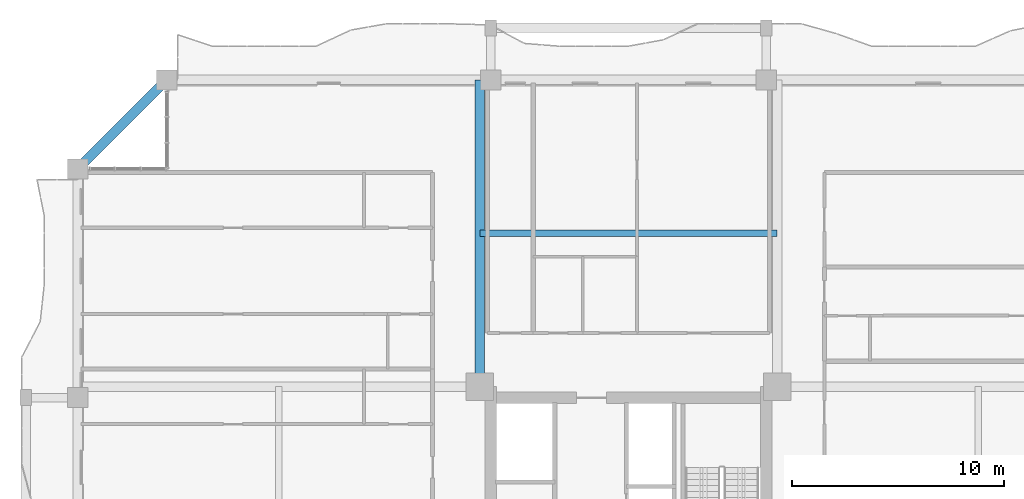
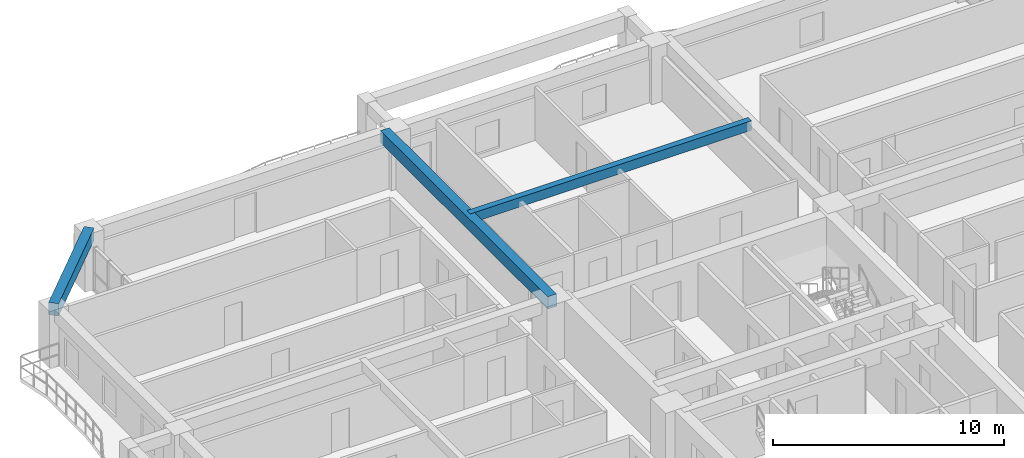
# One storey, part 7 of 24: 3 beams.
"""IFC4 building model written with IfcOpenShell, lengths in metres."""

from ifc_helpers import new_model, si_unit, direction, frame, origin, origin_2d, place, context, subcontext, project, spatial, rectangle, extrude, source, transform, mapped, material, material_profile, profile_set, type_object, element, save


model = new_model("IFC4")

# Units and contexts
model_context = context("Model", 3, precision=1e-05, world=origin(), true_north=direction((0.0, 1.0)))
body_context = subcontext(model_context, "Body", "Model", "MODEL_VIEW")
ifc_project = project(units=[si_unit("LENGTHUNIT", "METRE"), si_unit("AREAUNIT", "SQUARE_METRE"), si_unit("VOLUMEUNIT", "CUBIC_METRE"), si_unit("PLANEANGLEUNIT", "RADIAN"), si_unit("MASSUNIT", "GRAM", prefix="KILO")], contexts=[model_context])

# Site, building, storey
site_placement = place(None, origin())
site = spatial("IfcSite", under=ifc_project, at=site_placement, CompositionType="ELEMENT")
building_placement = place(site_placement, origin())
building = spatial("IfcBuilding", under=site, at=building_placement, Name="Saelheon Loggia Tower", CompositionType="ELEMENT")
storey_placement = place(building_placement, frame((0.0, 0.0, 126.75)))
storey = spatial("IfcBuildingStorey", under=building, at=storey_placement, Name="L40", CompositionType="ELEMENT", Elevation=126.75)

# Beams
ifc_material = material(Name="Concrete C40/50", Category="concrete")
ifc_material_profile_1 = material_profile(ifc_material, rectangle(XDim=0.449951171875, YDim=0.64990234375, at=origin_2d()), Name="RC-450x650")
ifc_profile_set_1 = profile_set([ifc_material_profile_1], Name="Concrete C40/50")
beam_type_1 = type_object("IfcBeamType", Name="Beam_PerimTower_RC450x650", PredefinedType="BEAM", material=ifc_profile_set_1)
shared_shape_1 = source(origin(), body_context, "Body", "SweptSolid", [
    extrude(rectangle(XDim=0.449951171875, YDim=0.64990234375, at=origin_2d()), origin(), (0.0, 0.0, 1.0), 5.939697265625),
])
beam_1_placement = place(storey_placement, frame((16.199951171875, 51.0, 2.675048828125), z_axis=(-0.707106781187, -0.707106781187, 0.0), x_axis=(0.707106781187, -0.707106781187, 0.0)))
element("IfcBeam", 1, at=beam_1_placement, inside=storey, type_object=beam_type_1, Name="L40 Perimeter Frame Girder 12", PredefinedType="BEAM", context=body_context, shape_type="MappedRepresentation", body=[
    mapped(shared_shape_1, transform((0.0, 0.0, 0.0), scale=1.0)),
])
ifc_material_profile_2 = material_profile(ifc_material, rectangle(XDim=0.449951171875, YDim=0.64990234375, at=origin_2d()), Name="RC-450x650")
ifc_profile_set_2 = profile_set([ifc_material_profile_2], Name="Concrete C40/50")
beam_type_2 = type_object("IfcBeamType", Name="Beam_TowerGirder_RC450x650", PredefinedType="BEAM", material=ifc_profile_set_2)
shared_shape_2 = source(origin(), body_context, "Body", "SweptSolid", [
    extrude(rectangle(XDim=0.449951171875, YDim=0.64990234375, at=origin_2d()), origin(), (0.0, 0.0, 1.0), 14.47998046875),
])
beam_2_placement = place(storey_placement, frame((30.97998046875, 36.52001953125, 2.675048828125), z_axis=(0.0, 1.0, 0.0), x_axis=(-1.0, 0.0, 0.0)))
element("IfcBeam", 2, at=beam_2_placement, inside=storey, type_object=beam_type_2, Name="L40 Radial Floor Girder RAD-NW-N", PredefinedType="BEAM", context=body_context, shape_type="MappedRepresentation", body=[
    mapped(shared_shape_2, transform((0.0, 0.0, 0.0), scale=1.0)),
])
ifc_material_profile_3 = material_profile(ifc_material, rectangle(XDim=0.300048828125, YDim=0.5, at=origin_2d()), Name="RC-300x500")
ifc_profile_set_3 = profile_set([ifc_material_profile_3], Name="Concrete C40/50")
beam_type_3 = type_object("IfcBeamType", Name="Beam_Joist_RC300x500", PredefinedType="JOIST", material=ifc_profile_set_3)
shared_shape_3 = source(origin(), body_context, "Body", "SweptSolid", [
    extrude(rectangle(XDim=0.300048828125, YDim=0.5, at=origin_2d()), origin(), (0.0, 0.0, 1.0), 14.0400390625),
])
beam_3_placement = place(storey_placement, frame((30.97998046875, 43.760009765625, 2.75), z_axis=(1.0, 0.0, 0.0), x_axis=(0.0, 1.0, 0.0)))
element("IfcBeam", 3, at=beam_3_placement, inside=storey, type_object=beam_type_3, Name="L40 North Floor Joist", PredefinedType="JOIST", context=body_context, shape_type="MappedRepresentation", body=[
    mapped(shared_shape_3, transform((0.0, 0.0, 0.0), scale=1.0)),
])

save(model, "model.ifc")
